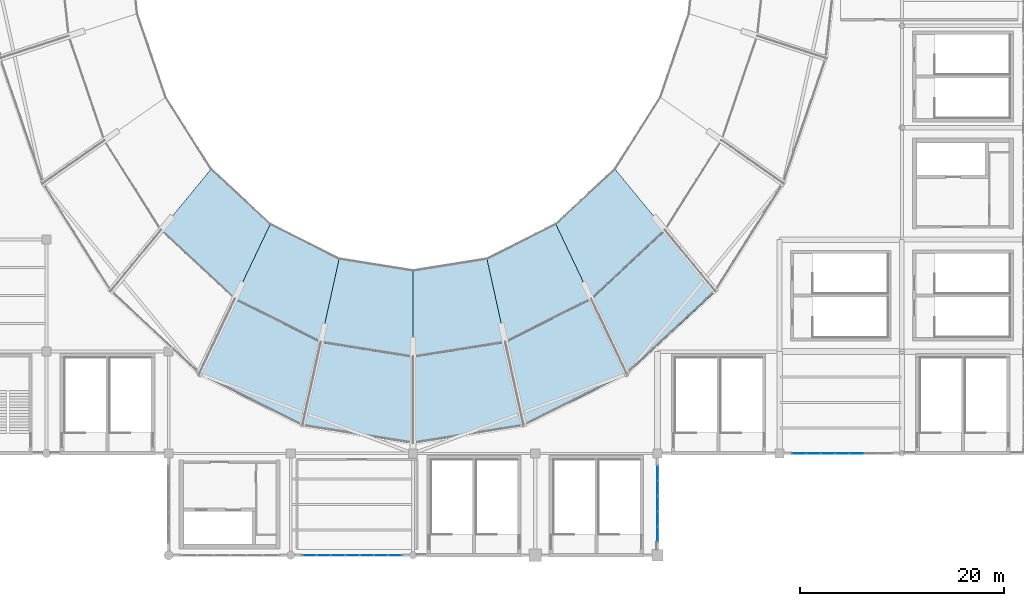
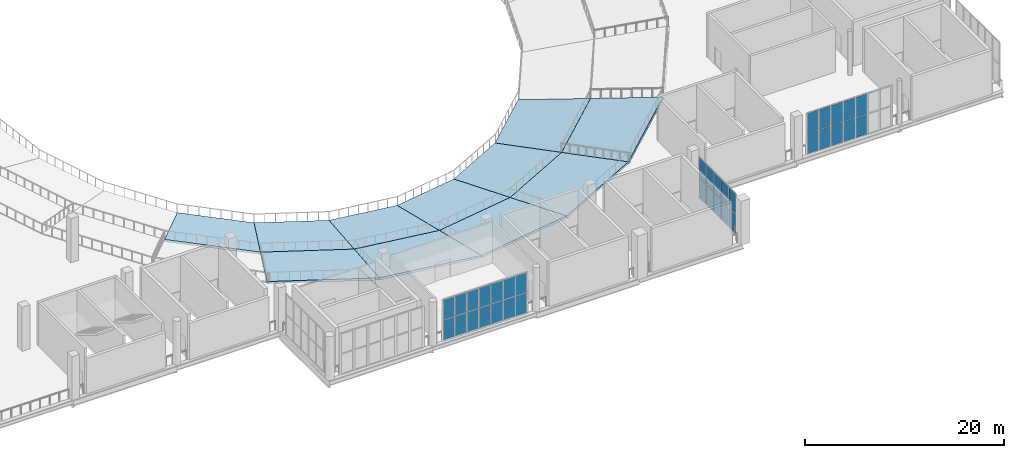
# One storey, part 44 of 74: 34 plates, 11 slabs, 3 elements without a shape of their own.
"""IFC4 building model written with IfcOpenShell, lengths in metres."""

from ifc_helpers import new_model, si_unit, direction, frame, origin, origin_2d, place, context, subcontext, project, spatial, polyline, rectangle, outline, extrude, material, layer, layer_set, type_object, element, aggregate, save


model = new_model("IFC4")

# Units and contexts
model_context = context("Model", 3, precision=1e-05, world=origin(), true_north=direction((0.0, 1.0)))
body_context = subcontext(model_context, "Body", "Model", "MODEL_VIEW")
ifc_project = project(units=[si_unit("LENGTHUNIT", "METRE"), si_unit("AREAUNIT", "SQUARE_METRE"), si_unit("VOLUMEUNIT", "CUBIC_METRE"), si_unit("PLANEANGLEUNIT", "RADIAN"), si_unit("MASSUNIT", "GRAM", prefix="KILO")], contexts=[model_context])

# Site, building, storey
site_placement = place(None, origin())
site = spatial("IfcSite", under=ifc_project, at=site_placement, CompositionType="ELEMENT")
building_placement = place(site_placement, origin())
building = spatial("IfcBuilding", under=site, at=building_placement, Name="Brinegate Civic Arena", CompositionType="ELEMENT")
storey_placement = place(building_placement, frame((0.0, 0.0, 19.199951171875)))
storey = spatial("IfcBuildingStorey", under=building, at=storey_placement, Name="L04", CompositionType="ELEMENT", Elevation=19.199951171875)

# Curtain wall, plates
ifc_material_1 = material(Name="Marine grade aluminium", Category="aluminium")
ifc_layer_1 = layer(ifc_material_1, 0.25, Name="Marine grade aluminium")
ifc_layer_set_1 = layer_set([ifc_layer_1], Name="Marine grade aluminium")
curtain_wall_type_1 = type_object("IfcCurtainWallType", Name="CW-PORTAL-SOUTH-02", PredefinedType="USERDEFINED", material=ifc_layer_set_1)
curtain_wall_1_placement = place(storey_placement, origin())
curtain_wall_1 = element("IfcCurtainWall", 1, at=curtain_wall_1_placement, inside=storey, type_object=curtain_wall_type_1, Name="Curtain Wall CWA-147", ObjectType="PORTAL CURTAIN WALL", PredefinedType="USERDEFINED")
ifc_material_2 = material(Name="Hurricane laminated low-E glass", Category="glass")
ifc_layer_2 = layer(ifc_material_2, 0.031982421875, Name="Hurricane laminated low-E glass")
ifc_layer_set_2 = layer_set([ifc_layer_2], Name="Hurricane laminated low-E glass")
plate_type = type_object("IfcPlateType", Name="CW-PANEL-GLAZED-32", PredefinedType="CURTAIN_PANEL", material=ifc_layer_set_2)
plate_1_placement = place(storey_placement, frame((97.8349609375, 0.0, 0.0751953125), z_axis=(0.0, 0.0, 1.0), x_axis=(1.0, 0.0, 0.0)))
plate_1 = element("IfcPlate", 2, at=plate_1_placement, type_object=plate_type, Name="CWA-147 panel 1.1", PredefinedType="CURTAIN_PANEL", context=body_context, shape_type="SweptSolid", body=[
    extrude(rectangle(XDim=1.30810546875, YDim=0.031982421875, at=origin_2d()), origin(), (0.0, 0.0, 1.0), 2.422607421875),
])
plate_2_placement = place(storey_placement, frame((97.8349609375, 0.0, 2.572265625), z_axis=(0.0, 0.0, 1.0), x_axis=(1.0, 0.0, 0.0)))
plate_2 = element("IfcPlate", 3, at=plate_2_placement, type_object=plate_type, Name="CWA-147 panel 1.2", PredefinedType="CURTAIN_PANEL", context=body_context, shape_type="SweptSolid", body=[
    extrude(rectangle(XDim=1.30810546875, YDim=0.031982421875, at=origin_2d()), origin(), (0.0, 0.0, 1.0), 2.422607421875),
])
plate_3_placement = place(storey_placement, frame((99.224365234375, 0.0, 0.0751953125), z_axis=(0.0, 0.0, 1.0), x_axis=(1.0, 0.0, 0.0)))
plate_3 = element("IfcPlate", 4, at=plate_3_placement, type_object=plate_type, Name="CWA-147 panel 2.1", PredefinedType="CURTAIN_PANEL", context=body_context, shape_type="SweptSolid", body=[
    extrude(rectangle(XDim=1.340576171875, YDim=0.031982421875, at=origin_2d()), origin(), (0.0, 0.0, 1.0), 2.422607421875),
])
plate_4_placement = place(storey_placement, frame((99.224365234375, 0.0, 2.572265625), z_axis=(0.0, 0.0, 1.0), x_axis=(1.0, 0.0, 0.0)))
plate_4 = element("IfcPlate", 5, at=plate_4_placement, type_object=plate_type, Name="CWA-147 panel 2.2", PredefinedType="CURTAIN_PANEL", context=body_context, shape_type="SweptSolid", body=[
    extrude(rectangle(XDim=1.340576171875, YDim=0.031982421875, at=origin_2d()), origin(), (0.0, 0.0, 1.0), 2.422607421875),
])
plate_5_placement = place(storey_placement, frame((100.6298828125, 0.0, 0.0751953125), z_axis=(0.0, 0.0, 1.0), x_axis=(1.0, 0.0, 0.0)))
plate_5 = element("IfcPlate", 6, at=plate_5_placement, type_object=plate_type, Name="CWA-147 panel 3.1", PredefinedType="CURTAIN_PANEL", context=body_context, shape_type="SweptSolid", body=[
    extrude(rectangle(XDim=1.340576171875, YDim=0.031982421875, at=origin_2d()), origin(), (0.0, 0.0, 1.0), 2.422607421875),
])
plate_6_placement = place(storey_placement, frame((100.6298828125, 0.0, 2.572265625), z_axis=(0.0, 0.0, 1.0), x_axis=(1.0, 0.0, 0.0)))
plate_6 = element("IfcPlate", 7, at=plate_6_placement, type_object=plate_type, Name="CWA-147 panel 3.2", PredefinedType="CURTAIN_PANEL", context=body_context, shape_type="SweptSolid", body=[
    extrude(rectangle(XDim=1.340576171875, YDim=0.031982421875, at=origin_2d()), origin(), (0.0, 0.0, 1.0), 2.422607421875),
])
plate_7_placement = place(storey_placement, frame((102.035400390625, 0.0, 0.0751953125), z_axis=(0.0, 0.0, 1.0), x_axis=(1.0, 0.0, 0.0)))
plate_7 = element("IfcPlate", 8, at=plate_7_placement, type_object=plate_type, Name="CWA-147 panel 4.1", PredefinedType="CURTAIN_PANEL", context=body_context, shape_type="SweptSolid", body=[
    extrude(rectangle(XDim=1.340576171875, YDim=0.031982421875, at=origin_2d()), origin(), (0.0, 0.0, 1.0), 2.422607421875),
])
plate_8_placement = place(storey_placement, frame((102.035400390625, 0.0, 2.572265625), z_axis=(0.0, 0.0, 1.0), x_axis=(1.0, 0.0, 0.0)))
plate_8 = element("IfcPlate", 9, at=plate_8_placement, type_object=plate_type, Name="CWA-147 panel 4.2", PredefinedType="CURTAIN_PANEL", context=body_context, shape_type="SweptSolid", body=[
    extrude(rectangle(XDim=1.340576171875, YDim=0.031982421875, at=origin_2d()), origin(), (0.0, 0.0, 1.0), 2.422607421875),
])
plate_9_placement = place(storey_placement, frame((103.441162109375, 0.0, 0.0751953125), z_axis=(0.0, 0.0, 1.0), x_axis=(1.0, 0.0, 0.0)))
plate_9 = element("IfcPlate", 10, at=plate_9_placement, type_object=plate_type, Name="CWA-147 panel 5.1", PredefinedType="CURTAIN_PANEL", context=body_context, shape_type="SweptSolid", body=[
    extrude(rectangle(XDim=1.340576171875, YDim=0.031982421875, at=origin_2d()), origin(), (0.0, 0.0, 1.0), 2.422607421875),
])
plate_10_placement = place(storey_placement, frame((103.441162109375, 0.0, 2.572265625), z_axis=(0.0, 0.0, 1.0), x_axis=(1.0, 0.0, 0.0)))
plate_10 = element("IfcPlate", 11, at=plate_10_placement, type_object=plate_type, Name="CWA-147 panel 5.2", PredefinedType="CURTAIN_PANEL", context=body_context, shape_type="SweptSolid", body=[
    extrude(rectangle(XDim=1.340576171875, YDim=0.031982421875, at=origin_2d()), origin(), (0.0, 0.0, 1.0), 2.422607421875),
])
plate_11_placement = place(storey_placement, frame((104.8466796875, 0.0, 0.0751953125), z_axis=(0.0, 0.0, 1.0), x_axis=(1.0, 0.0, 0.0)))
plate_11 = element("IfcPlate", 12, at=plate_11_placement, type_object=plate_type, Name="CWA-147 panel 6.1", PredefinedType="CURTAIN_PANEL", context=body_context, shape_type="SweptSolid", body=[
    extrude(rectangle(XDim=1.340576171875, YDim=0.031982421875, at=origin_2d()), origin(), (0.0, 0.0, 1.0), 2.422607421875),
])
plate_12_placement = place(storey_placement, frame((104.8466796875, 0.0, 2.572265625), z_axis=(0.0, 0.0, 1.0), x_axis=(1.0, 0.0, 0.0)))
plate_12 = element("IfcPlate", 13, at=plate_12_placement, type_object=plate_type, Name="CWA-147 panel 6.2", PredefinedType="CURTAIN_PANEL", context=body_context, shape_type="SweptSolid", body=[
    extrude(rectangle(XDim=1.340576171875, YDim=0.031982421875, at=origin_2d()), origin(), (0.0, 0.0, 1.0), 2.422607421875),
])
plate_13_placement = place(storey_placement, frame((106.236083984375, 0.0, 0.0751953125), z_axis=(0.0, 0.0, 1.0), x_axis=(1.0, 0.0, 0.0)))
plate_13 = element("IfcPlate", 14, at=plate_13_placement, type_object=plate_type, Name="CWA-147 panel 7.1", PredefinedType="CURTAIN_PANEL", context=body_context, shape_type="SweptSolid", body=[
    extrude(rectangle(XDim=1.30810546875, YDim=0.031982421875, at=origin_2d()), origin(), (0.0, 0.0, 1.0), 2.422607421875),
])
plate_14_placement = place(storey_placement, frame((106.236083984375, 0.0, 2.572265625), z_axis=(0.0, 0.0, 1.0), x_axis=(1.0, 0.0, 0.0)))
plate_14 = element("IfcPlate", 15, at=plate_14_placement, type_object=plate_type, Name="CWA-147 panel 7.2", PredefinedType="CURTAIN_PANEL", context=body_context, shape_type="SweptSolid", body=[
    extrude(rectangle(XDim=1.30810546875, YDim=0.031982421875, at=origin_2d()), origin(), (0.0, 0.0, 1.0), 2.422607421875),
])
aggregate(curtain_wall_1, [plate_1, plate_2, plate_3, plate_4, plate_5, plate_6, plate_7, plate_8, plate_9, plate_10, plate_11, plate_12, plate_13, plate_14])

curtain_wall_2_placement = place(storey_placement, origin())
curtain_wall_2 = element("IfcCurtainWall", 16, at=curtain_wall_2_placement, inside=storey, type_object=curtain_wall_type_1, Name="Curtain Wall CWA-151", ObjectType="PORTAL CURTAIN WALL", PredefinedType="USERDEFINED")
plate_15_placement = place(storey_placement, frame((132.0, 2.0927734375, 0.06494140625), z_axis=(0.0, 0.0, 1.0), x_axis=(0.0, 1.0, 0.0)))
plate_15 = element("IfcPlate", 17, at=plate_15_placement, type_object=plate_type, Name="CWA-151 panel 1.1", PredefinedType="CURTAIN_PANEL", context=body_context, shape_type="SweptSolid", body=[
    extrude(rectangle(XDim=1.399658203125, YDim=0.031982421875, at=origin_2d()), origin(), (0.0, 0.0, 1.0), 2.4375),
])
plate_16_placement = place(storey_placement, frame((132.0, 2.0927734375, 2.567626953125), z_axis=(0.0, 0.0, 1.0), x_axis=(0.0, 1.0, 0.0)))
plate_16 = element("IfcPlate", 18, at=plate_16_placement, type_object=plate_type, Name="CWA-151 panel 1.2", PredefinedType="CURTAIN_PANEL", context=body_context, shape_type="SweptSolid", body=[
    extrude(rectangle(XDim=1.399658203125, YDim=0.031982421875, at=origin_2d()), origin(), (0.0, 0.0, 1.0), 2.4375),
])
plate_17_placement = place(storey_placement, frame((132.0, 3.57373046875, 0.06494140625), z_axis=(0.0, 0.0, 1.0), x_axis=(0.0, 1.0, 0.0)))
plate_17 = element("IfcPlate", 19, at=plate_17_placement, type_object=plate_type, Name="CWA-151 panel 2.1", PredefinedType="CURTAIN_PANEL", context=body_context, shape_type="SweptSolid", body=[
    extrude(rectangle(XDim=1.43212890625, YDim=0.031982421875, at=origin_2d()), origin(), (0.0, 0.0, 1.0), 2.4375),
])
plate_18_placement = place(storey_placement, frame((132.0, 3.57373046875, 2.567626953125), z_axis=(0.0, 0.0, 1.0), x_axis=(0.0, 1.0, 0.0)))
plate_18 = element("IfcPlate", 20, at=plate_18_placement, type_object=plate_type, Name="CWA-151 panel 2.2", PredefinedType="CURTAIN_PANEL", context=body_context, shape_type="SweptSolid", body=[
    extrude(rectangle(XDim=1.43212890625, YDim=0.031982421875, at=origin_2d()), origin(), (0.0, 0.0, 1.0), 2.4375),
])
plate_19_placement = place(storey_placement, frame((132.0, 5.071044921875, 0.06494140625), z_axis=(0.0, 0.0, 1.0), x_axis=(0.0, 1.0, 0.0)))
plate_19 = element("IfcPlate", 21, at=plate_19_placement, type_object=plate_type, Name="CWA-151 panel 3.1", PredefinedType="CURTAIN_PANEL", context=body_context, shape_type="SweptSolid", body=[
    extrude(rectangle(XDim=1.43212890625, YDim=0.031982421875, at=origin_2d()), origin(), (0.0, 0.0, 1.0), 2.4375),
])
plate_20_placement = place(storey_placement, frame((132.0, 5.071044921875, 2.567626953125), z_axis=(0.0, 0.0, 1.0), x_axis=(0.0, 1.0, 0.0)))
plate_20 = element("IfcPlate", 22, at=plate_20_placement, type_object=plate_type, Name="CWA-151 panel 3.2", PredefinedType="CURTAIN_PANEL", context=body_context, shape_type="SweptSolid", body=[
    extrude(rectangle(XDim=1.43212890625, YDim=0.031982421875, at=origin_2d()), origin(), (0.0, 0.0, 1.0), 2.4375),
])
plate_21_placement = place(storey_placement, frame((132.0, 6.568115234375, 0.06494140625), z_axis=(0.0, 0.0, 1.0), x_axis=(0.0, 1.0, 0.0)))
plate_21 = element("IfcPlate", 23, at=plate_21_placement, type_object=plate_type, Name="CWA-151 panel 4.1", PredefinedType="CURTAIN_PANEL", context=body_context, shape_type="SweptSolid", body=[
    extrude(rectangle(XDim=1.43212890625, YDim=0.031982421875, at=origin_2d()), origin(), (0.0, 0.0, 1.0), 2.4375),
])
plate_22_placement = place(storey_placement, frame((132.0, 6.568115234375, 2.567626953125), z_axis=(0.0, 0.0, 1.0), x_axis=(0.0, 1.0, 0.0)))
plate_22 = element("IfcPlate", 24, at=plate_22_placement, type_object=plate_type, Name="CWA-151 panel 4.2", PredefinedType="CURTAIN_PANEL", context=body_context, shape_type="SweptSolid", body=[
    extrude(rectangle(XDim=1.43212890625, YDim=0.031982421875, at=origin_2d()), origin(), (0.0, 0.0, 1.0), 2.4375),
])
plate_23_placement = place(storey_placement, frame((132.0, 8.049072265625, 0.06494140625), z_axis=(0.0, 0.0, 1.0), x_axis=(0.0, 1.0, 0.0)))
plate_23 = element("IfcPlate", 25, at=plate_23_placement, type_object=plate_type, Name="CWA-151 panel 5.1", PredefinedType="CURTAIN_PANEL", context=body_context, shape_type="SweptSolid", body=[
    extrude(rectangle(XDim=1.399658203125, YDim=0.031982421875, at=origin_2d()), origin(), (0.0, 0.0, 1.0), 2.4375),
])
plate_24_placement = place(storey_placement, frame((132.0, 8.049072265625, 2.567626953125), z_axis=(0.0, 0.0, 1.0), x_axis=(0.0, 1.0, 0.0)))
plate_24 = element("IfcPlate", 26, at=plate_24_placement, type_object=plate_type, Name="CWA-151 panel 5.2", PredefinedType="CURTAIN_PANEL", context=body_context, shape_type="SweptSolid", body=[
    extrude(rectangle(XDim=1.399658203125, YDim=0.031982421875, at=origin_2d()), origin(), (0.0, 0.0, 1.0), 2.4375),
])
aggregate(curtain_wall_2, [plate_15, plate_16, plate_17, plate_18, plate_19, plate_20, plate_21, plate_22, plate_23, plate_24])

ifc_layer_3 = layer(ifc_material_1, 0.199951171875, Name="Marine grade aluminium")
ifc_layer_set_3 = layer_set([ifc_layer_3], Name="Marine grade aluminium")
curtain_wall_type_2 = type_object("IfcCurtainWallType", Name="CW-BOWL-GLAZED-01", PredefinedType="USERDEFINED", material=ifc_layer_set_3)
curtain_wall_3_placement = place(storey_placement, origin())
curtain_wall_3 = element("IfcCurtainWall", 27, at=curtain_wall_3_placement, inside=storey, type_object=curtain_wall_type_2, Name="Curtain Wall CWA-153", ObjectType="GLAZED CURTAIN WALL", PredefinedType="USERDEFINED")
plate_25_placement = place(storey_placement, frame((145.90966796875, 10.0, 0.06494140625), z_axis=(0.0, 0.0, 1.0), x_axis=(1.0, 0.0, 0.0)))
plate_25 = element("IfcPlate", 28, at=plate_25_placement, type_object=plate_type, Name="CWA-153 panel 1.1", PredefinedType="CURTAIN_PANEL", context=body_context, shape_type="SweptSolid", body=[
    extrude(rectangle(XDim=1.3173828125, YDim=0.031982421875, at=origin_2d()), origin(), (0.0, 0.0, 1.0), 2.4375),
])
plate_26_placement = place(storey_placement, frame((145.90966796875, 10.0, 2.567626953125), z_axis=(0.0, 0.0, 1.0), x_axis=(1.0, 0.0, 0.0)))
plate_26 = element("IfcPlate", 29, at=plate_26_placement, type_object=plate_type, Name="CWA-153 panel 1.2", PredefinedType="CURTAIN_PANEL", context=body_context, shape_type="SweptSolid", body=[
    extrude(rectangle(XDim=1.3173828125, YDim=0.031982421875, at=origin_2d()), origin(), (0.0, 0.0, 1.0), 2.4375),
])
plate_27_placement = place(storey_placement, frame((147.30859375, 10.0, 0.06494140625), z_axis=(0.0, 0.0, 1.0), x_axis=(1.0, 0.0, 0.0)))
plate_27 = element("IfcPlate", 30, at=plate_27_placement, type_object=plate_type, Name="CWA-153 panel 2.1", PredefinedType="CURTAIN_PANEL", context=body_context, shape_type="SweptSolid", body=[
    extrude(rectangle(XDim=1.35009765625, YDim=0.031982421875, at=origin_2d()), origin(), (0.0, 0.0, 1.0), 2.4375),
])
plate_28_placement = place(storey_placement, frame((147.30859375, 10.0, 2.567626953125), z_axis=(0.0, 0.0, 1.0), x_axis=(1.0, 0.0, 0.0)))
plate_28 = element("IfcPlate", 31, at=plate_28_placement, type_object=plate_type, Name="CWA-153 panel 2.2", PredefinedType="CURTAIN_PANEL", context=body_context, shape_type="SweptSolid", body=[
    extrude(rectangle(XDim=1.35009765625, YDim=0.031982421875, at=origin_2d()), origin(), (0.0, 0.0, 1.0), 2.4375),
])
plate_29_placement = place(storey_placement, frame((148.723388671875, 10.0, 0.06494140625), z_axis=(0.0, 0.0, 1.0), x_axis=(1.0, 0.0, 0.0)))
plate_29 = element("IfcPlate", 32, at=plate_29_placement, type_object=plate_type, Name="CWA-153 panel 3.1", PredefinedType="CURTAIN_PANEL", context=body_context, shape_type="SweptSolid", body=[
    extrude(rectangle(XDim=1.35009765625, YDim=0.031982421875, at=origin_2d()), origin(), (0.0, 0.0, 1.0), 2.4375),
])
plate_30_placement = place(storey_placement, frame((148.723388671875, 10.0, 2.567626953125), z_axis=(0.0, 0.0, 1.0), x_axis=(1.0, 0.0, 0.0)))
plate_30 = element("IfcPlate", 33, at=plate_30_placement, type_object=plate_type, Name="CWA-153 panel 3.2", PredefinedType="CURTAIN_PANEL", context=body_context, shape_type="SweptSolid", body=[
    extrude(rectangle(XDim=1.35009765625, YDim=0.031982421875, at=origin_2d()), origin(), (0.0, 0.0, 1.0), 2.4375),
])
plate_31_placement = place(storey_placement, frame((150.138427734375, 10.0, 0.06494140625), z_axis=(0.0, 0.0, 1.0), x_axis=(1.0, 0.0, 0.0)))
plate_31 = element("IfcPlate", 34, at=plate_31_placement, type_object=plate_type, Name="CWA-153 panel 4.1", PredefinedType="CURTAIN_PANEL", context=body_context, shape_type="SweptSolid", body=[
    extrude(rectangle(XDim=1.35009765625, YDim=0.031982421875, at=origin_2d()), origin(), (0.0, 0.0, 1.0), 2.4375),
])
plate_32_placement = place(storey_placement, frame((150.138427734375, 10.0, 2.567626953125), z_axis=(0.0, 0.0, 1.0), x_axis=(1.0, 0.0, 0.0)))
plate_32 = element("IfcPlate", 35, at=plate_32_placement, type_object=plate_type, Name="CWA-153 panel 4.2", PredefinedType="CURTAIN_PANEL", context=body_context, shape_type="SweptSolid", body=[
    extrude(rectangle(XDim=1.35009765625, YDim=0.031982421875, at=origin_2d()), origin(), (0.0, 0.0, 1.0), 2.4375),
])
plate_33_placement = place(storey_placement, frame((151.553466796875, 10.0, 0.06494140625), z_axis=(0.0, 0.0, 1.0), x_axis=(1.0, 0.0, 0.0)))
plate_33 = element("IfcPlate", 36, at=plate_33_placement, type_object=plate_type, Name="CWA-153 panel 5.1", PredefinedType="CURTAIN_PANEL", context=body_context, shape_type="SweptSolid", body=[
    extrude(rectangle(XDim=1.35009765625, YDim=0.031982421875, at=origin_2d()), origin(), (0.0, 0.0, 1.0), 2.4375),
])
plate_34_placement = place(storey_placement, frame((151.553466796875, 10.0, 2.567626953125), z_axis=(0.0, 0.0, 1.0), x_axis=(1.0, 0.0, 0.0)))
plate_34 = element("IfcPlate", 37, at=plate_34_placement, type_object=plate_type, Name="CWA-153 panel 5.2", PredefinedType="CURTAIN_PANEL", context=body_context, shape_type="SweptSolid", body=[
    extrude(rectangle(XDim=1.35009765625, YDim=0.031982421875, at=origin_2d()), origin(), (0.0, 0.0, 1.0), 2.4375),
])
aggregate(curtain_wall_3, [plate_25, plate_26, plate_27, plate_28, plate_29, plate_30, plate_31, plate_32, plate_33, plate_34])

# Slabs
ifc_material_3 = material(Name="Precast concrete C45/55", Category="concrete")
ifc_layer_4 = layer(ifc_material_3, 0.239990234375, Name="Precast concrete C45/55")
ifc_layer_set_4 = layer_set([ifc_layer_4], Name="Precast concrete C45/55")
slab_type = type_object("IfcSlabType", Name="SLAB-TIER-UPR-240", PredefinedType="USERDEFINED", material=ifc_layer_set_4)
slab_1_placement = place(storey_placement, frame((88.200927734375, 37.9580078125, -4.14990234375), z_axis=(0.175846276944, 0.188735902626, 0.966155704814), x_axis=(0.731646220774, -0.681684536737, 1.1203e-06)))
element("IfcSlab", 38, at=slab_1_placement, inside=storey, type_object=slab_type, Name="Stand Upper Tier Bay A16", ObjectType="SEATING TIER", PredefinedType="USERDEFINED", context=body_context, shape_type="SweptSolid", body=[
    extrude(outline(polyline([(0.0, 0.0), (7.9260627843173195, 4.440892098500626e-16), (10.383074035058762, -8.043660937946633), (0.47531997951568544, -8.043738388927673), (0.0, 0.0)])), origin(), (0.0, 0.0, -1.0), 0.239990234375),
])
slab_2_placement = place(storey_placement, frame((94.0, 32.554931640625, -4.14990234375), z_axis=(0.110874440298, 0.220438308015, 0.969078846559), x_axis=(0.893389478053, -0.449283029135, -1.5341976e-05)))
element("IfcSlab", 39, at=slab_2_placement, inside=storey, type_object=slab_type, Name="Stand Upper Tier Bay A17", ObjectType="SEATING TIER", PredefinedType="USERDEFINED", context=body_context, shape_type="SweptSolid", body=[
    extrude(outline(polyline([(0.0, 0.0), (7.558759740775205, 0.0), (9.628930575322181, -8.409678719483283), (0.18020541494080913, -8.40862126422096), (0.0, 0.0)])), origin(), (0.0, 0.0, -1.0), 0.239990234375),
])
slab_3_placement = place(storey_placement, frame((90.5, 25.194091796875, -2.074951171875), z_axis=(0.110886062245, 0.220450568745, 0.969074727738), x_axis=(0.893340205836, -0.449380992678, 7.551274e-06)))
element("IfcSlab", 40, at=slab_3_placement, inside=storey, type_object=slab_type, Name="Stand Upper Tier Bay B17", ObjectType="SEATING TIER", PredefinedType="USERDEFINED", context=body_context, shape_type="SweptSolid", body=[
    extrude(outline(polyline([(0.0, 0.0), (9.448725220024908, 0.0), (11.520270765234828, -8.408176279480276), (0.18125617618811007, -8.408812400325049), (0.0, 0.0)])), origin(), (0.0, 0.0, -1.0), 0.239990234375),
])
slab_4_placement = place(storey_placement, frame((100.7529296875, 29.158935546875, -4.14990234375), z_axis=(0.037885345821, 0.236969680404, 0.970778075124), x_axis=(0.987453677719, -0.157908942944, 9.896886e-06)))
element("IfcSlab", 41, at=slab_4_placement, inside=storey, type_object=slab_type, Name="Stand Upper Tier Bay A18", ObjectType="SEATING TIER", PredefinedType="USERDEFINED", context=body_context, shape_type="SweptSolid", body=[
    extrude(outline(polyline([(0.0, 0.0), (7.33915251991203, 2.220446049250313e-16), (8.681399070492477, -8.646027790697998), (-0.4926766389885338, -8.646708806664867), (0.0, 0.0)])), origin(), (0.0, 0.0, -1.0), 0.239990234375),
])
slab_5_placement = place(storey_placement, frame((98.94091796875, 20.947998046875, -2.074951171875), z_axis=(0.037886202688, 0.236984729919, 0.970774367931), x_axis=(0.987465112551, -0.157837420955, -6.432829e-06)))
element("IfcSlab", 42, at=slab_5_placement, inside=storey, type_object=slab_type, Name="Stand Upper Tier Bay B18", ObjectType="SEATING TIER", PredefinedType="USERDEFINED", context=body_context, shape_type="SweptSolid", body=[
    extrude(outline(polyline([(0.0, 0.0), (9.17407573486151, 0.0), (10.515680465173775, -8.646127405351688), (-0.49250832168873876, -8.64558643745388), (0.0, 0.0)])), origin(), (0.0, 0.0, -1.0), 0.239990234375),
])
slab_6_placement = place(storey_placement, frame((108.0, 28.0, -4.14990234375), z_axis=(-0.037885345821, 0.236969680404, 0.970778075124), x_axis=(0.987453677719, 0.157908942944, -9.896886e-06)))
element("IfcSlab", 43, at=slab_6_placement, inside=storey, type_object=slab_type, Name="Stand Upper Tier Bay A19", ObjectType="SEATING TIER", PredefinedType="USERDEFINED", context=body_context, shape_type="SweptSolid", body=[
    extrude(outline(polyline([(0.0, 0.0), (7.33915251991203, -2.220446049250313e-16), (7.831829158900564, -8.646708806664867), (-1.342246550580446, -8.646027790698), (0.0, 0.0)])), origin(), (0.0, 0.0, -1.0), 0.239990234375),
])
slab_7_placement = place(storey_placement, frame((108.0, 19.5, -2.074951171875), z_axis=(-0.037886202688, 0.236984729919, 0.970774367931), x_axis=(0.987465112551, 0.157837420955, 6.432829e-06)))
element("IfcSlab", 44, at=slab_7_placement, inside=storey, type_object=slab_type, Name="Stand Upper Tier Bay B19", ObjectType="SEATING TIER", PredefinedType="USERDEFINED", context=body_context, shape_type="SweptSolid", body=[
    extrude(outline(polyline([(0.0, 0.0), (9.17407573486151, 0.0), (9.66658405655025, -8.64558643745388), (-1.3416047303122638, -8.64612740535169), (0.0, 0.0)])), origin(), (0.0, 0.0, -1.0), 0.239990234375),
])
slab_8_placement = place(storey_placement, frame((115.2470703125, 29.158935546875, -4.14990234375), z_axis=(-0.110874440298, 0.220438308015, 0.969078846559), x_axis=(0.893389478053, 0.449283029135, 1.5341976e-05)))
element("IfcSlab", 45, at=slab_8_placement, inside=storey, type_object=slab_type, Name="Stand Upper Tier Bay A20", ObjectType="SEATING TIER", PredefinedType="USERDEFINED", context=body_context, shape_type="SweptSolid", body=[
    extrude(outline(polyline([(0.0, 0.0), (7.558759740775205, 0.0), (7.378554325834394, -8.40862126422096), (-2.070170834546978, -8.409678719483283), (0.0, 0.0)])), origin(), (0.0, 0.0, -1.0), 0.239990234375),
])
slab_9_placement = place(storey_placement, frame((117.05908203125, 20.947998046875, -2.074951171875), z_axis=(-0.110886062245, 0.220450568745, 0.969074727738), x_axis=(0.893340205836, 0.449380992678, -7.551274e-06)))
element("IfcSlab", 46, at=slab_9_placement, inside=storey, type_object=slab_type, Name="Stand Upper Tier Bay B20", ObjectType="SEATING TIER", PredefinedType="USERDEFINED", context=body_context, shape_type="SweptSolid", body=[
    extrude(outline(polyline([(0.0, 0.0), (9.448725220024908, 0.0), (9.267469043836797, -8.408812400325049), (-2.071545545209919, -8.408176279480276), (0.0, 0.0)])), origin(), (0.0, 0.0, -1.0), 0.239990234375),
])
slab_10_placement = place(storey_placement, frame((122.0, 32.554931640625, -4.14990234375), z_axis=(-0.175846276944, 0.188735902626, 0.966155704814), x_axis=(0.731646220774, 0.681684536737, -1.1203e-06)))
element("IfcSlab", 47, at=slab_10_placement, inside=storey, type_object=slab_type, Name="Stand Upper Tier Bay A21", ObjectType="SEATING TIER", PredefinedType="USERDEFINED", context=body_context, shape_type="SweptSolid", body=[
    extrude(outline(polyline([(0.0, 0.0), (7.9260627843173195, -4.440892098500626e-16), (7.450742804801635, -8.043738388927673), (-2.457011250741442, -8.043660937946632), (0.0, 0.0)])), origin(), (0.0, 0.0, -1.0), 0.239990234375),
])
slab_11_placement = place(storey_placement, frame((125.5, 25.194091796875, -2.074951171875), z_axis=(-0.175858495648, 0.188736832132, 0.966153299278), x_axis=(0.731649908574, 0.681680578574, 8.921293e-06)))
element("IfcSlab", 48, at=slab_11_placement, inside=storey, type_object=slab_type, Name="Stand Upper Tier Bay B21", ObjectType="SEATING TIER", PredefinedType="USERDEFINED", context=body_context, shape_type="SweptSolid", body=[
    extrude(outline(polyline([(0.0, 0.0), (9.907754055427679, -1.7763568394002505e-15), (9.431782452891708, -8.043098933745707), (-2.4571147981442443, -8.043852724351582), (0.0, 0.0)])), origin(), (0.0, 0.0, -1.0), 0.239990234375),
])

save(model, "model.ifc")
